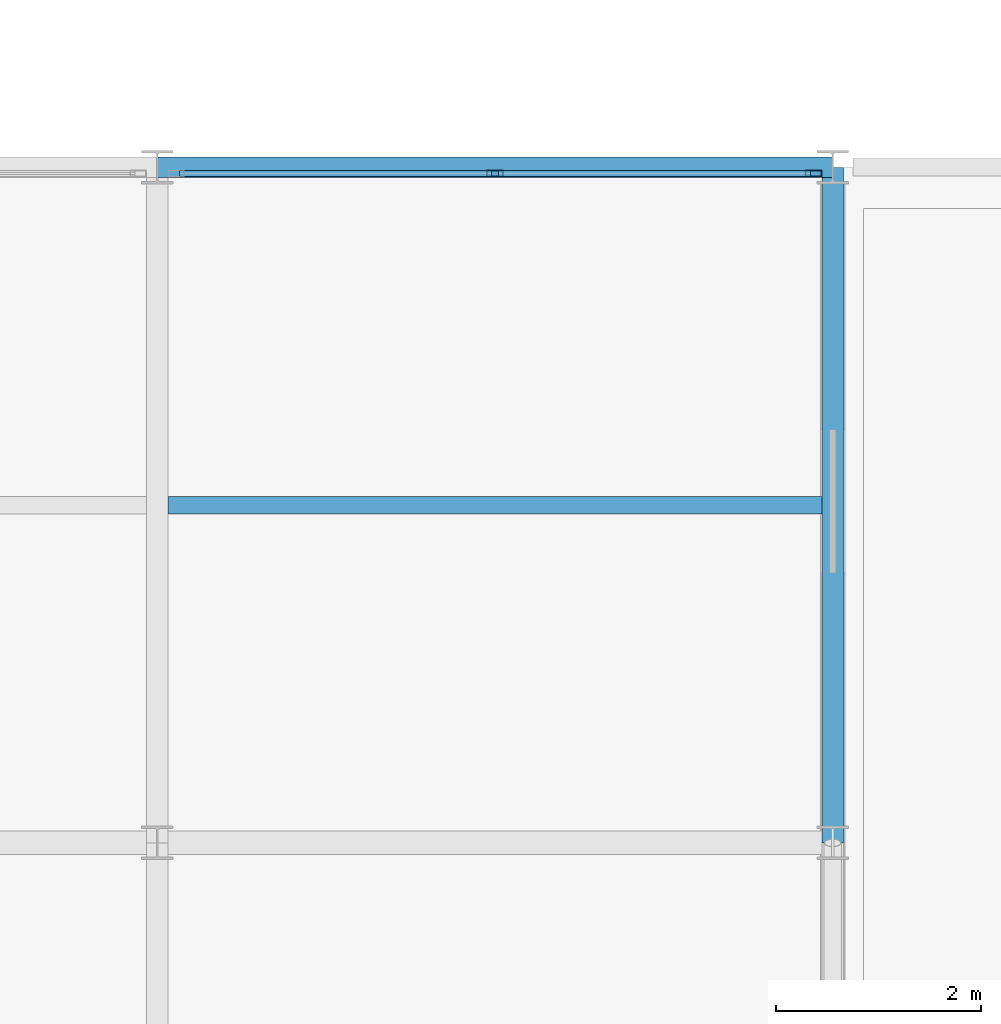
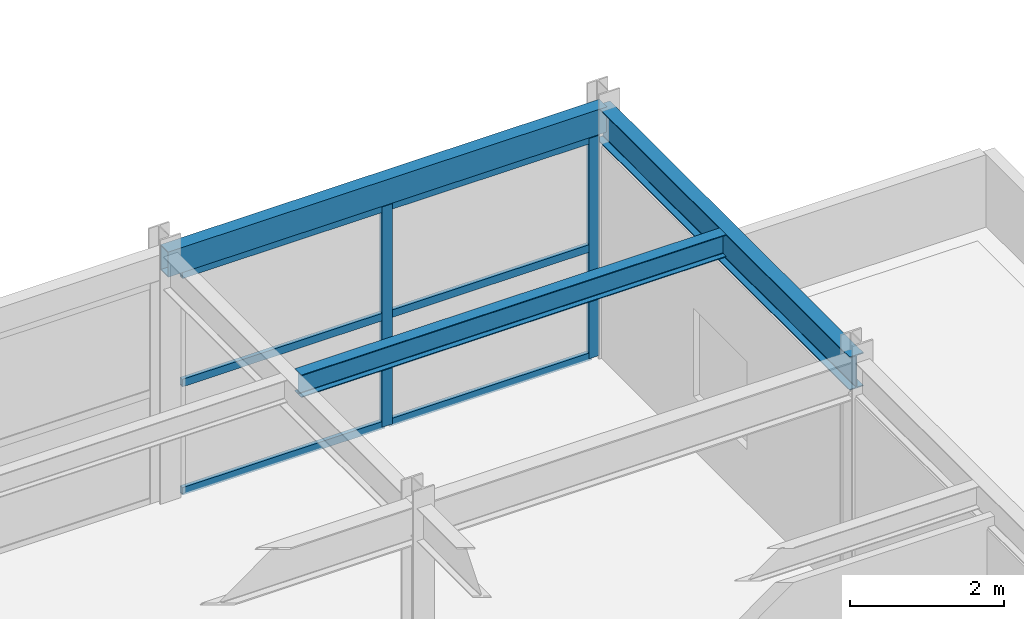
# One storey, part 78 of 106: 8 members, 3 beams, 1 element without a shape of its own.
"""IFC4 building model written with IfcOpenShell, lengths in metres."""

import ifcopenshell
import ifcopenshell.guid

model = None  # the IFC model being written
_history = None  # IfcOwnerHistory: only IFC2X3 demands one
_inside = {}  # id of a spatial element -> (the spatial element, [elements in it])
_under = {}  # id of a project, library or spatial element -> (it, [spatial elements below it])
_declared = {}  # id of a project -> (the project, [libraries it declares])
_typed = {}  # id of a type object -> (the type object, [elements of that type])
_made_of = {}  # id of a material, layer set ... -> (it, [elements and type objects made of it])


def new_model(schema):
    """Start an empty IFC model of exactly this schema.

    Asked for "IFC4X3", IfcOpenShell would pick the latest addendum, in which some entities
    have other attributes; the version numbers below select the first issue.
    IFC2X3 requires an IfcOwnerHistory on every rooted entity: one is made here for all.
    """
    global model, _history
    if schema == "IFC4X3":
        model = ifcopenshell.file(schema_version=(4, 3, 0, 0))
    else:
        model = ifcopenshell.file(schema=schema)
    _inside.clear()
    _under.clear()
    _declared.clear()
    _typed.clear()
    _made_of.clear()
    _history = None
    if model.schema == "IFC2X3":
        org = make("IfcOrganization", Name="unknown")
        user = make(
            "IfcPersonAndOrganization",
            ThePerson=make("IfcPerson", FamilyName="unknown"),
            TheOrganization=org,
        )
        app = make(
            "IfcApplication",
            ApplicationDeveloper=org,
            Version="unknown",
            ApplicationFullName="unknown",
            ApplicationIdentifier="unknown",
        )
        _history = make(
            "IfcOwnerHistory",
            OwningUser=user,
            OwningApplication=app,
            ChangeAction="ADDED",
            CreationDate=0,
        )
    return model


def make(cls, **values):
    """One entity of the class cls with the attributes given. An attribute that is None is left unset."""
    return model.create_entity(
        cls, **{name: value for name, value in values.items() if value is not None}
    )


def rooted(cls, **values):
    """An entity with a GlobalId (a new one), such as an element, a storey or a relation."""
    return make(cls, GlobalId=ifcopenshell.guid.new(), OwnerHistory=_history, **values)


def si_unit(unit_type, name, prefix=None):
    """IfcSIUnit, for example si_unit("LENGTHUNIT", "METRE", prefix="MILLI")."""
    return make("IfcSIUnit", UnitType=unit_type, Prefix=prefix, Name=name)


def assignment(units):
    """IfcUnitAssignment: the units of a project."""
    return None if units is None else make("IfcUnitAssignment", Units=units)


def point(xyz):
    """IfcCartesianPoint."""
    return None if xyz is None else make("IfcCartesianPoint", Coordinates=xyz)


def direction(xyz):
    """IfcDirection."""
    return None if xyz is None else make("IfcDirection", DirectionRatios=xyz)


def frame(location, z_axis=None, x_axis=None):
    """IfcAxis2Placement3D, a coordinate frame: its origin and axes. An axis left out is left unset."""
    return make(
        "IfcAxis2Placement3D",
        Location=point(location),
        Axis=direction(z_axis),
        RefDirection=direction(x_axis),
    )


def frame_2d(location, x_axis=None):
    """IfcAxis2Placement2D, a coordinate frame in the plane: its origin and x axis."""
    return make(
        "IfcAxis2Placement2D", Location=point(location), RefDirection=direction(x_axis)
    )


def origin():
    """The frame at (0, 0, 0) with its axes left unset."""
    return frame((0.0, 0.0, 0.0))


def origin_2d():
    """The frame at (0, 0) in the plane with its x axis left unset."""
    return frame_2d((0.0, 0.0))


def place(relative_to, where):
    """IfcLocalPlacement: puts the frame where relative to a parent placement (None: the world)."""
    return make(
        "IfcLocalPlacement", PlacementRelTo=relative_to, RelativePlacement=where
    )


def context(
    kind, dimensions, precision=None, world=None, true_north=None, identifier=None
):
    """IfcGeometricRepresentationContext, for example the 3D "Model" context."""
    return make(
        "IfcGeometricRepresentationContext",
        ContextIdentifier=identifier,
        ContextType=kind,
        CoordinateSpaceDimension=dimensions,
        Precision=precision,
        WorldCoordinateSystem=world,
        TrueNorth=true_north,
    )


def subcontext(parent, identifier, kind, view, scale=None):
    """IfcGeometricRepresentationSubContext, for example "Body" below "Model"."""
    return make(
        "IfcGeometricRepresentationSubContext",
        ContextIdentifier=identifier,
        ContextType=kind,
        ParentContext=parent,
        TargetScale=scale,
        TargetView=view,
    )


def project(units=None, contexts=None):
    """IfcProject with its units and contexts."""
    return rooted(
        "IfcProject",
        Name="project",
        RepresentationContexts=contexts,
        UnitsInContext=assignment(units),
    )


def spatial(cls, under=None, at=None, **own):
    """A site, building, storey or space (cls), placed at a placement, below another one or the project."""
    s = rooted(cls, ObjectPlacement=at, **own)
    if under is not None:
        _under.setdefault(under.id(), (under, []))[1].append(s)
    return s


def profile(cls, at=None, kind="AREA", **sizes):
    """A parametric profile (cls). Its sizes go by their IFC names, for example OverallWidth=200.0."""
    return make(cls, ProfileType=kind, Position=at, **sizes)


def hollow_rectangle(**sizes):
    """IfcRectangleHollowProfileDef."""
    return profile("IfcRectangleHollowProfileDef", **sizes)


def i_section(**sizes):
    """IfcIShapeProfileDef."""
    return profile("IfcIShapeProfileDef", **sizes)


def extrude(swept, where, along, depth):
    """IfcExtrudedAreaSolid: the profile swept, set in the frame where, extruded along a direction by depth."""
    return make(
        "IfcExtrudedAreaSolid",
        SweptArea=swept,
        Position=where,
        ExtrudedDirection=direction(along),
        Depth=depth,
    )


def shape(context_of_items, identifier, shape_type, items):
    """IfcShapeRepresentation: the items that make up one representation, for example the "Body"."""
    return make(
        "IfcShapeRepresentation",
        ContextOfItems=context_of_items,
        RepresentationIdentifier=identifier,
        RepresentationType=shape_type,
        Items=items,
    )


def material(Name=None, Category=None):
    """IfcMaterial."""
    return make("IfcMaterial", Name=Name, Category=Category)


def material_profile(
    of_material, cross_section, Name=None, Category=None, Priority=None
):
    """IfcMaterialProfile: a cross section and its material."""
    return make(
        "IfcMaterialProfile",
        Name=Name,
        Material=of_material,
        Profile=cross_section,
        Priority=Priority,
        Category=Category,
    )


def profile_set(profiles, Name=None, composite=None):
    """IfcMaterialProfileSet."""
    return make(
        "IfcMaterialProfileSet",
        Name=Name,
        MaterialProfiles=profiles,
        CompositeProfile=composite,
    )


def made_of(thing, what):
    """Note that an element or type object is made of a material, layer set ...; save() writes the relation."""
    if what is not None:
        _made_of.setdefault(what.id(), (what, []))[1].append(thing)
    return thing


def type_object(cls, material=None, **own):
    """A type object (cls), such as IfcWallType, which elements share."""
    return made_of(rooted(cls, **own), material)


def element(
    cls,
    number,
    at=None,
    inside=None,
    cuts=None,
    type_object=None,
    material=None,
    context=None,
    identifier="Body",
    shape_type=None,
    held_by="IfcProductDefinitionShape",
    body=None,
    shapes=None,
    **own,
):
    """One element of the class cls, such as IfcWall. Its Tag is "e" and its number.

    at: its placement. inside: the storey or other place that contains it. cuts: it is an
    opening in that element (IfcRelVoidsElement). A single representation is given by context,
    identifier, shape_type and body (its items); several are given by shapes. held_by: the class
    of the entity that holds the representations. save() writes the other relations.
    """
    e = rooted(cls, Tag="e%d" % number, ObjectPlacement=at, **own)
    if body is not None:
        shapes = [shape(context, identifier, shape_type, body)]
    if shapes is not None:
        e.Representation = make(held_by, Representations=shapes)
    if inside is not None:
        _inside.setdefault(inside.id(), (inside, []))[1].append(e)
    if cuts is not None:
        rooted(
            "IfcRelVoidsElement", RelatingBuildingElement=cuts, RelatedOpeningElement=e
        )
    if type_object is not None:
        _typed.setdefault(type_object.id(), (type_object, []))[1].append(e)
    return made_of(e, material)


def aggregate(whole, parts):
    """IfcRelAggregates: a whole, such as a stair, and the parts it consists of."""
    return rooted("IfcRelAggregates", RelatingObject=whole, RelatedObjects=parts)


def save(model, path):
    """Write the relations noted so far, then the file.

    IfcRelAggregates (storeys below a building ...), IfcRelContainedInSpatialStructure (elements
    in a storey), IfcRelDefinesByType, IfcRelAssociatesMaterial and IfcRelDeclares: one each for
    every whole, place, type object, material and project.
    """
    for whole, parts in _under.values():
        aggregate(whole, parts)
    for where, things in _inside.values():
        rooted(
            "IfcRelContainedInSpatialStructure",
            RelatedElements=things,
            RelatingStructure=where,
        )
    for kind, things in _typed.values():
        rooted("IfcRelDefinesByType", RelatedObjects=things, RelatingType=kind)
    for what, things in _made_of.values():
        rooted("IfcRelAssociatesMaterial", RelatedObjects=things, RelatingMaterial=what)
    for by, libraries in _declared.values():
        rooted("IfcRelDeclares", RelatingContext=by, RelatedDefinitions=libraries)
    model.write(path)


model = new_model("IFC4")

# Units and contexts
model_context = context("Model", 3, precision=1e-05, world=origin(), true_north=direction((0.0, 1.0)))
body_context = subcontext(model_context, "Body", "Model", "MODEL_VIEW")
ifc_project = project(units=[si_unit("LENGTHUNIT", "METRE"), si_unit("AREAUNIT", "SQUARE_METRE"), si_unit("VOLUMEUNIT", "CUBIC_METRE"), si_unit("PLANEANGLEUNIT", "RADIAN"), si_unit("MASSUNIT", "GRAM", prefix="KILO")], contexts=[model_context])

# Site, building, storey
site_placement = place(None, origin())
site = spatial("IfcSite", under=ifc_project, at=site_placement, CompositionType="ELEMENT")
building_placement = place(site_placement, origin())
building = spatial("IfcBuilding", under=site, at=building_placement, Name="Karori Crest Natural Sciences Institute", CompositionType="ELEMENT")
storey_placement = place(building_placement, frame((0.0, 0.0, 25.89990234375)))
storey = spatial("IfcBuildingStorey", under=building, at=storey_placement, Name="L06", CompositionType="ELEMENT", Elevation=25.89990234375)

# Beams
ifc_material_1 = material(Name="Structural steel AS/NZS 3679.1 Grade 350", Category="steel")
ifc_material_profile_1 = material_profile(ifc_material_1, i_section(OverallWidth=0.208984375, OverallDepth=0.532958984375, WebThickness=0.01025390625, FlangeThickness=0.015625, FilletRadius=0.013916015625, at=origin_2d()), Name="530UB92.4")
ifc_profile_set_1 = profile_set([ifc_material_profile_1], Name="Structural steel AS/NZS 3679.1 Grade 350")
beam_type_1 = type_object("IfcBeamType", Name="BT-05-EL", PredefinedType="BEAM", material=ifc_profile_set_1)
beam_1_placement = place(storey_placement, frame((156.39990234375, 14.0, 3.653564453125), z_axis=(0.0, 1.0, 0.0), x_axis=(-1.0, 0.0, 0.0)))
element("IfcBeam", 1, at=beam_1_placement, inside=storey, type_object=beam_type_1, Name="Beam B-2597", PredefinedType="BEAM", context=body_context, shape_type="SweptSolid", body=[
    extrude(i_section(OverallWidth=0.208984375, OverallDepth=0.532958984375, WebThickness=0.01025390625, FlangeThickness=0.015625, FilletRadius=0.013916015625, at=origin_2d()), origin(), (0.0, 0.0, 1.0), 6.60009765625),
])
ifc_material_profile_2 = material_profile(ifc_material_1, i_section(OverallWidth=0.172119140625, OverallDepth=0.35888671875, WebThickness=0.008056640625, FlangeThickness=0.012939453125, FilletRadius=0.010986328125, at=origin_2d()), Name="360UB56.7")
ifc_profile_set_2 = profile_set([ifc_material_profile_2], Name="Structural steel AS/NZS 3679.1 Grade 350")
beam_type_2 = type_object("IfcBeamType", Name="BT-08", PredefinedType="BEAM", material=ifc_profile_set_2)
beam_2_placement = place(storey_placement, frame((149.904541015625, 17.300048828125, 3.740478515625), z_axis=(1.0, 0.0, 0.0), x_axis=(0.0, 1.0, 0.0)))
element("IfcBeam", 2, at=beam_2_placement, inside=storey, type_object=beam_type_2, Name="Beam B-2617", PredefinedType="BEAM", context=body_context, shape_type="SweptSolid", body=[
    extrude(i_section(OverallWidth=0.172119140625, OverallDepth=0.35888671875, WebThickness=0.008056640625, FlangeThickness=0.012939453125, FilletRadius=0.010986328125, at=origin_2d()), origin(), (0.0, 0.0, 1.0), 6.390869140625),
])
ifc_material_2 = material(Name="Hollow structural steel AS/NZS 1163 Grade C350", Category="steel")
ifc_material_profile_3 = material_profile(ifc_material_2, hollow_rectangle(XDim=0.199951171875, YDim=0.39990234375, WallThickness=0.012451171875, at=origin_2d()), Name="RHS400x200x12.5")
ifc_profile_set_3 = profile_set([ifc_material_profile_3], Name="Hollow structural steel AS/NZS 1163 Grade C350")
beam_type_3 = type_object("IfcBeamType", Name="BT-14", PredefinedType="SPANDREL", material=ifc_profile_set_3)
beam_3_placement = place(storey_placement, frame((149.800048828125, 20.60009765625, 3.72021484375), z_axis=(1.0, 0.0, 0.0), x_axis=(0.0, 1.0, 0.0)))
element("IfcBeam", 3, at=beam_3_placement, inside=storey, type_object=beam_type_3, Name="Beam B-2570", PredefinedType="SPANDREL", context=body_context, shape_type="SweptSolid", body=[
    extrude(hollow_rectangle(XDim=0.199951171875, YDim=0.39990234375, WallThickness=0.012451171875, at=origin_2d()), origin(), (0.0, 0.0, 1.0), 6.599853515625),
])

# Curtain wall, members
ifc_material_3 = material(Name="Anodised architectural aluminium 6063-T6", Category="aluminium")
curtain_wall_type = type_object("IfcCurtainWallType", Name="CWT-20", PredefinedType="NOTDEFINED", material=ifc_material_3)
curtain_wall_placement = place(storey_placement, origin())
curtain_wall = element("IfcCurtainWall", 4, at=curtain_wall_placement, inside=storey, type_object=curtain_wall_type, Name="Curtain wall CW-0356", PredefinedType="NOTDEFINED")
ifc_material_profile_4 = material_profile(ifc_material_3, hollow_rectangle(XDim=0.06494140625, YDim=0.159912109375, WallThickness=0.00390625, at=origin_2d()), Name="CWM160x65x4")
ifc_profile_set_4 = profile_set([ifc_material_profile_4], Name="Anodised architectural aluminium 6063-T6")
member_type_1 = type_object("IfcMemberType", Name="CWM-01", PredefinedType="MULLION", material=ifc_profile_set_4)
member_1_placement = place(storey_placement, frame((153.10009765625, 20.5400390625, 0.0), z_axis=(0.0, 0.0, 1.0), x_axis=(0.0, 1.0, 0.0)))
member_1 = element("IfcMember", 5, at=member_1_placement, type_object=member_type_1, Name="CW-0356 mullion 2", PredefinedType="MULLION", context=body_context, shape_type="SweptSolid", body=[
    extrude(hollow_rectangle(XDim=0.06494140625, YDim=0.159912109375, WallThickness=0.00390625, at=origin_2d()), origin(), (0.0, 0.0, 1.0), 3.505126953125),
])
member_2_placement = place(storey_placement, frame((156.214111328125, 20.5400390625, 0.0), z_axis=(0.0, 0.0, 1.0), x_axis=(0.0, 1.0, 0.0)))
member_2 = element("IfcMember", 6, at=member_2_placement, type_object=member_type_1, Name="CW-0356 mullion 3", PredefinedType="MULLION", context=body_context, shape_type="SweptSolid", body=[
    extrude(hollow_rectangle(XDim=0.06494140625, YDim=0.159912109375, WallThickness=0.00390625, at=origin_2d()), origin(), (0.0, 0.0, 1.0), 3.505126953125),
])
ifc_material_profile_5 = material_profile(ifc_material_3, hollow_rectangle(XDim=0.06005859375, YDim=0.1201171875, WallThickness=0.00390625, at=origin_2d()), Name="CWT120x60x4")
ifc_profile_set_5 = profile_set([ifc_material_profile_5], Name="Anodised architectural aluminium 6063-T6")
member_type_2 = type_object("IfcMemberType", Name="CWT-TR1", PredefinedType="USERDEFINED", material=ifc_profile_set_5)
member_3_placement = place(storey_placement, frame((150.0185546875, 20.5400390625, 0.030029296875), z_axis=(1.0, 0.0, 0.0), x_axis=(0.0, 1.0, 0.0)))
member_3 = element("IfcMember", 7, at=member_3_placement, type_object=member_type_2, Name="CW-0356 transom 1.1", ObjectType="TRANSOM", PredefinedType="USERDEFINED", context=body_context, shape_type="SweptSolid", body=[
    extrude(hollow_rectangle(XDim=0.06005859375, YDim=0.1201171875, WallThickness=0.00390625, at=origin_2d()), origin(), (0.0, 0.0, 1.0), 3.048828125),
])
member_4_placement = place(storey_placement, frame((150.0185546875, 20.5400390625, 1.752685546875), z_axis=(1.0, 0.0, 0.0), x_axis=(0.0, 1.0, 0.0)))
member_4 = element("IfcMember", 8, at=member_4_placement, type_object=member_type_2, Name="CW-0356 transom 1.2", ObjectType="TRANSOM", PredefinedType="USERDEFINED", context=body_context, shape_type="SweptSolid", body=[
    extrude(hollow_rectangle(XDim=0.06005859375, YDim=0.1201171875, WallThickness=0.00390625, at=origin_2d()), origin(), (0.0, 0.0, 1.0), 3.048828125),
])
member_5_placement = place(storey_placement, frame((150.0185546875, 20.5400390625, 3.47509765625), z_axis=(1.0, 0.0, 0.0), x_axis=(0.0, 1.0, 0.0)))
member_5 = element("IfcMember", 9, at=member_5_placement, type_object=member_type_2, Name="CW-0356 transom 1.3", ObjectType="TRANSOM", PredefinedType="USERDEFINED", context=body_context, shape_type="SweptSolid", body=[
    extrude(hollow_rectangle(XDim=0.06005859375, YDim=0.1201171875, WallThickness=0.00390625, at=origin_2d()), origin(), (0.0, 0.0, 1.0), 3.048828125),
])
member_6_placement = place(storey_placement, frame((153.132568359375, 20.5400390625, 0.030029296875), z_axis=(1.0, 0.0, 0.0), x_axis=(0.0, 1.0, 0.0)))
member_6 = element("IfcMember", 10, at=member_6_placement, type_object=member_type_2, Name="CW-0356 transom 2.1", ObjectType="TRANSOM", PredefinedType="USERDEFINED", context=body_context, shape_type="SweptSolid", body=[
    extrude(hollow_rectangle(XDim=0.06005859375, YDim=0.1201171875, WallThickness=0.00390625, at=origin_2d()), origin(), (0.0, 0.0, 1.0), 3.048828125),
])
member_7_placement = place(storey_placement, frame((153.132568359375, 20.5400390625, 1.752685546875), z_axis=(1.0, 0.0, 0.0), x_axis=(0.0, 1.0, 0.0)))
member_7 = element("IfcMember", 11, at=member_7_placement, type_object=member_type_2, Name="CW-0356 transom 2.2", ObjectType="TRANSOM", PredefinedType="USERDEFINED", context=body_context, shape_type="SweptSolid", body=[
    extrude(hollow_rectangle(XDim=0.06005859375, YDim=0.1201171875, WallThickness=0.00390625, at=origin_2d()), origin(), (0.0, 0.0, 1.0), 3.048828125),
])
member_8_placement = place(storey_placement, frame((153.132568359375, 20.5400390625, 3.47509765625), z_axis=(1.0, 0.0, 0.0), x_axis=(0.0, 1.0, 0.0)))
member_8 = element("IfcMember", 12, at=member_8_placement, type_object=member_type_2, Name="CW-0356 transom 2.3", ObjectType="TRANSOM", PredefinedType="USERDEFINED", context=body_context, shape_type="SweptSolid", body=[
    extrude(hollow_rectangle(XDim=0.06005859375, YDim=0.1201171875, WallThickness=0.00390625, at=origin_2d()), origin(), (0.0, 0.0, 1.0), 3.048828125),
])
aggregate(curtain_wall, [member_1, member_2, member_3, member_4, member_5, member_6, member_7, member_8])

save(model, "model.ifc")
